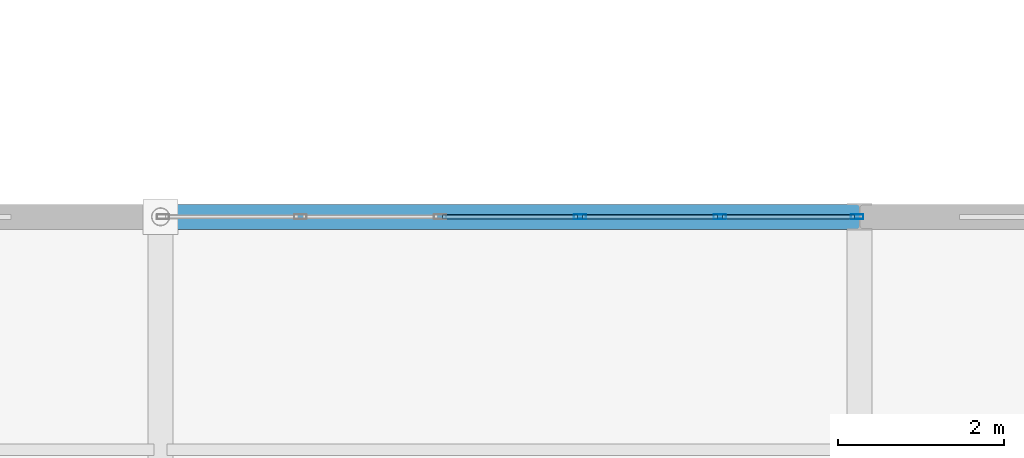
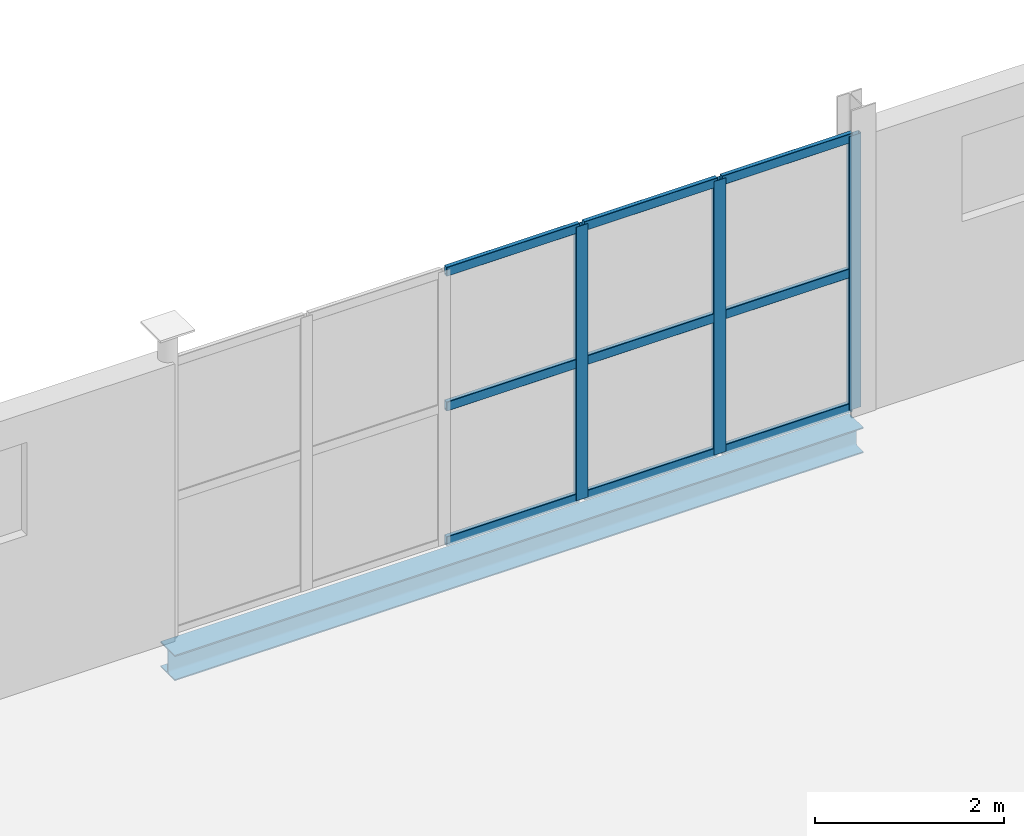
# One storey, part 101 of 163: 12 members, 1 beam, 1 element without a shape of its own.
"""IFC4 building model written with IfcOpenShell, lengths in metres."""

import ifcopenshell
import ifcopenshell.guid

model = None  # the IFC model being written
_history = None  # IfcOwnerHistory: only IFC2X3 demands one
_inside = {}  # id of a spatial element -> (the spatial element, [elements in it])
_under = {}  # id of a project, library or spatial element -> (it, [spatial elements below it])
_declared = {}  # id of a project -> (the project, [libraries it declares])
_typed = {}  # id of a type object -> (the type object, [elements of that type])
_made_of = {}  # id of a material, layer set ... -> (it, [elements and type objects made of it])


def new_model(schema):
    """Start an empty IFC model of exactly this schema.

    Asked for "IFC4X3", IfcOpenShell would pick the latest addendum, in which some entities
    have other attributes; the version numbers below select the first issue.
    IFC2X3 requires an IfcOwnerHistory on every rooted entity: one is made here for all.
    """
    global model, _history
    if schema == "IFC4X3":
        model = ifcopenshell.file(schema_version=(4, 3, 0, 0))
    else:
        model = ifcopenshell.file(schema=schema)
    _inside.clear()
    _under.clear()
    _declared.clear()
    _typed.clear()
    _made_of.clear()
    _history = None
    if model.schema == "IFC2X3":
        org = make("IfcOrganization", Name="unknown")
        user = make(
            "IfcPersonAndOrganization",
            ThePerson=make("IfcPerson", FamilyName="unknown"),
            TheOrganization=org,
        )
        app = make(
            "IfcApplication",
            ApplicationDeveloper=org,
            Version="unknown",
            ApplicationFullName="unknown",
            ApplicationIdentifier="unknown",
        )
        _history = make(
            "IfcOwnerHistory",
            OwningUser=user,
            OwningApplication=app,
            ChangeAction="ADDED",
            CreationDate=0,
        )
    return model


def make(cls, **values):
    """One entity of the class cls with the attributes given. An attribute that is None is left unset."""
    return model.create_entity(
        cls, **{name: value for name, value in values.items() if value is not None}
    )


def rooted(cls, **values):
    """An entity with a GlobalId (a new one), such as an element, a storey or a relation."""
    return make(cls, GlobalId=ifcopenshell.guid.new(), OwnerHistory=_history, **values)


def si_unit(unit_type, name, prefix=None):
    """IfcSIUnit, for example si_unit("LENGTHUNIT", "METRE", prefix="MILLI")."""
    return make("IfcSIUnit", UnitType=unit_type, Prefix=prefix, Name=name)


def assignment(units):
    """IfcUnitAssignment: the units of a project."""
    return None if units is None else make("IfcUnitAssignment", Units=units)


def point(xyz):
    """IfcCartesianPoint."""
    return None if xyz is None else make("IfcCartesianPoint", Coordinates=xyz)


def direction(xyz):
    """IfcDirection."""
    return None if xyz is None else make("IfcDirection", DirectionRatios=xyz)


def frame(location, z_axis=None, x_axis=None):
    """IfcAxis2Placement3D, a coordinate frame: its origin and axes. An axis left out is left unset."""
    return make(
        "IfcAxis2Placement3D",
        Location=point(location),
        Axis=direction(z_axis),
        RefDirection=direction(x_axis),
    )


def frame_2d(location, x_axis=None):
    """IfcAxis2Placement2D, a coordinate frame in the plane: its origin and x axis."""
    return make(
        "IfcAxis2Placement2D", Location=point(location), RefDirection=direction(x_axis)
    )


def origin():
    """The frame at (0, 0, 0) with its axes left unset."""
    return frame((0.0, 0.0, 0.0))


def origin_2d():
    """The frame at (0, 0) in the plane with its x axis left unset."""
    return frame_2d((0.0, 0.0))


def place(relative_to, where):
    """IfcLocalPlacement: puts the frame where relative to a parent placement (None: the world)."""
    return make(
        "IfcLocalPlacement", PlacementRelTo=relative_to, RelativePlacement=where
    )


def context(
    kind, dimensions, precision=None, world=None, true_north=None, identifier=None
):
    """IfcGeometricRepresentationContext, for example the 3D "Model" context."""
    return make(
        "IfcGeometricRepresentationContext",
        ContextIdentifier=identifier,
        ContextType=kind,
        CoordinateSpaceDimension=dimensions,
        Precision=precision,
        WorldCoordinateSystem=world,
        TrueNorth=true_north,
    )


def subcontext(parent, identifier, kind, view, scale=None):
    """IfcGeometricRepresentationSubContext, for example "Body" below "Model"."""
    return make(
        "IfcGeometricRepresentationSubContext",
        ContextIdentifier=identifier,
        ContextType=kind,
        ParentContext=parent,
        TargetScale=scale,
        TargetView=view,
    )


def project(units=None, contexts=None):
    """IfcProject with its units and contexts."""
    return rooted(
        "IfcProject",
        Name="project",
        RepresentationContexts=contexts,
        UnitsInContext=assignment(units),
    )


def spatial(cls, under=None, at=None, **own):
    """A site, building, storey or space (cls), placed at a placement, below another one or the project."""
    s = rooted(cls, ObjectPlacement=at, **own)
    if under is not None:
        _under.setdefault(under.id(), (under, []))[1].append(s)
    return s


def profile(cls, at=None, kind="AREA", **sizes):
    """A parametric profile (cls). Its sizes go by their IFC names, for example OverallWidth=200.0."""
    return make(cls, ProfileType=kind, Position=at, **sizes)


def hollow_rectangle(**sizes):
    """IfcRectangleHollowProfileDef."""
    return profile("IfcRectangleHollowProfileDef", **sizes)


def i_section(**sizes):
    """IfcIShapeProfileDef."""
    return profile("IfcIShapeProfileDef", **sizes)


def extrude(swept, where, along, depth):
    """IfcExtrudedAreaSolid: the profile swept, set in the frame where, extruded along a direction by depth."""
    return make(
        "IfcExtrudedAreaSolid",
        SweptArea=swept,
        Position=where,
        ExtrudedDirection=direction(along),
        Depth=depth,
    )


def shape(context_of_items, identifier, shape_type, items):
    """IfcShapeRepresentation: the items that make up one representation, for example the "Body"."""
    return make(
        "IfcShapeRepresentation",
        ContextOfItems=context_of_items,
        RepresentationIdentifier=identifier,
        RepresentationType=shape_type,
        Items=items,
    )


def material(Name=None, Category=None):
    """IfcMaterial."""
    return make("IfcMaterial", Name=Name, Category=Category)


def layer(
    of_material, thickness, ventilated=None, Name=None, Category=None, Priority=None
):
    """IfcMaterialLayer: one layer of a wall or slab, of a material (None: an air gap)."""
    return make(
        "IfcMaterialLayer",
        Material=of_material,
        LayerThickness=thickness,
        IsVentilated=ventilated,
        Name=Name,
        Category=Category,
        Priority=Priority,
    )


def layer_set(layers, Name=None):
    """IfcMaterialLayerSet."""
    return make("IfcMaterialLayerSet", MaterialLayers=layers, LayerSetName=Name)


def material_profile(
    of_material, cross_section, Name=None, Category=None, Priority=None
):
    """IfcMaterialProfile: a cross section and its material."""
    return make(
        "IfcMaterialProfile",
        Name=Name,
        Material=of_material,
        Profile=cross_section,
        Priority=Priority,
        Category=Category,
    )


def profile_set(profiles, Name=None, composite=None):
    """IfcMaterialProfileSet."""
    return make(
        "IfcMaterialProfileSet",
        Name=Name,
        MaterialProfiles=profiles,
        CompositeProfile=composite,
    )


def made_of(thing, what):
    """Note that an element or type object is made of a material, layer set ...; save() writes the relation."""
    if what is not None:
        _made_of.setdefault(what.id(), (what, []))[1].append(thing)
    return thing


def type_object(cls, material=None, **own):
    """A type object (cls), such as IfcWallType, which elements share."""
    return made_of(rooted(cls, **own), material)


def element(
    cls,
    number,
    at=None,
    inside=None,
    cuts=None,
    type_object=None,
    material=None,
    context=None,
    identifier="Body",
    shape_type=None,
    held_by="IfcProductDefinitionShape",
    body=None,
    shapes=None,
    **own,
):
    """One element of the class cls, such as IfcWall. Its Tag is "e" and its number.

    at: its placement. inside: the storey or other place that contains it. cuts: it is an
    opening in that element (IfcRelVoidsElement). A single representation is given by context,
    identifier, shape_type and body (its items); several are given by shapes. held_by: the class
    of the entity that holds the representations. save() writes the other relations.
    """
    e = rooted(cls, Tag="e%d" % number, ObjectPlacement=at, **own)
    if body is not None:
        shapes = [shape(context, identifier, shape_type, body)]
    if shapes is not None:
        e.Representation = make(held_by, Representations=shapes)
    if inside is not None:
        _inside.setdefault(inside.id(), (inside, []))[1].append(e)
    if cuts is not None:
        rooted(
            "IfcRelVoidsElement", RelatingBuildingElement=cuts, RelatedOpeningElement=e
        )
    if type_object is not None:
        _typed.setdefault(type_object.id(), (type_object, []))[1].append(e)
    return made_of(e, material)


def aggregate(whole, parts):
    """IfcRelAggregates: a whole, such as a stair, and the parts it consists of."""
    return rooted("IfcRelAggregates", RelatingObject=whole, RelatedObjects=parts)


def save(model, path):
    """Write the relations noted so far, then the file.

    IfcRelAggregates (storeys below a building ...), IfcRelContainedInSpatialStructure (elements
    in a storey), IfcRelDefinesByType, IfcRelAssociatesMaterial and IfcRelDeclares: one each for
    every whole, place, type object, material and project.
    """
    for whole, parts in _under.values():
        aggregate(whole, parts)
    for where, things in _inside.values():
        rooted(
            "IfcRelContainedInSpatialStructure",
            RelatedElements=things,
            RelatingStructure=where,
        )
    for kind, things in _typed.values():
        rooted("IfcRelDefinesByType", RelatedObjects=things, RelatingType=kind)
    for what, things in _made_of.values():
        rooted("IfcRelAssociatesMaterial", RelatedObjects=things, RelatingMaterial=what)
    for by, libraries in _declared.values():
        rooted("IfcRelDeclares", RelatingContext=by, RelatedDefinitions=libraries)
    model.write(path)


model = new_model("IFC4")

# Units and contexts
model_context = context("Model", 3, precision=1e-05, world=origin(), true_north=direction((0.0, 1.0)))
body_context = subcontext(model_context, "Body", "Model", "MODEL_VIEW")
ifc_project = project(units=[si_unit("LENGTHUNIT", "METRE"), si_unit("AREAUNIT", "SQUARE_METRE"), si_unit("VOLUMEUNIT", "CUBIC_METRE"), si_unit("PLANEANGLEUNIT", "RADIAN"), si_unit("MASSUNIT", "GRAM", prefix="KILO")], contexts=[model_context])

# Site, building, storey
site_placement = place(None, origin())
site = spatial("IfcSite", under=ifc_project, at=site_placement, CompositionType="ELEMENT")
building_placement = place(site_placement, origin())
building = spatial("IfcBuilding", under=site, at=building_placement, Name="Qalvenar Corner Mobility Hub", CompositionType="ELEMENT")
storey_placement = place(building_placement, frame((0.0, 0.0, 4.800048828125)))
storey = spatial("IfcBuildingStorey", under=building, at=storey_placement, Name="L01", CompositionType="ELEMENT", Elevation=4.800048828125)

# Beam
ifc_material_1 = material(Name="Steel S355", Category="steel")
ifc_material_profile_1 = material_profile(ifc_material_1, i_section(OverallWidth=0.300048828125, OverallDepth=0.330078125, WebThickness=0.009521484375, FlangeThickness=0.0166015625, FilletRadius=0.027099609375, at=origin_2d()), Name="HEA340")
ifc_profile_set_1 = profile_set([ifc_material_profile_1], Name="Steel S355")
beam_type = type_object("IfcBeamType", Name="BM-SPN340", PredefinedType="SPANDREL", material=ifc_profile_set_1)
beam_placement = place(storey_placement, frame((142.800048828125, 50.39990234375, -0.344970703125), z_axis=(1.0, 0.0, 0.0), x_axis=(0.0, 1.0, 0.0)))
element("IfcBeam", 1, at=beam_placement, inside=storey, type_object=beam_type, Name="Primary Steel Girder GX-1024", PredefinedType="SPANDREL", context=body_context, shape_type="SweptSolid", body=[
    extrude(i_section(OverallWidth=0.300048828125, OverallDepth=0.330078125, WebThickness=0.009521484375, FlangeThickness=0.0166015625, FilletRadius=0.027099609375, at=origin_2d()), origin(), (0.0, 0.0, 1.0), 8.39990234375),
])

# Curtain wall, members
ifc_material_2 = material(Name="Anodised Aluminium and Low-E Glazing", Category="aluminium")
ifc_layer = layer(ifc_material_2, 0.14990234375)
ifc_layer_set = layer_set([ifc_layer], Name="Anodised Aluminium and Low-E Glazing")
curtain_wall_type = type_object("IfcCurtainWallType", Name="CW-WKS-84X44", PredefinedType="NOTDEFINED", material=ifc_layer_set)
curtain_wall_placement = place(storey_placement, origin())
curtain_wall = element("IfcCurtainWall", 2, at=curtain_wall_placement, inside=storey, type_object=curtain_wall_type, Name="Glazed Curtain Wall CW-V6-L01-N4", PredefinedType="NOTDEFINED")
ifc_material_3 = material(Name="Anodised Aluminium 6063-T6", Category="aluminium")
ifc_material_profile_2 = material_profile(ifc_material_3, hollow_rectangle(XDim=0.06005859375, YDim=0.14990234375, WallThickness=0.00390625, InnerFilletRadius=0.00390625, OuterFilletRadius=0.008056640625, at=origin_2d()), Name="RHS150x60x4")
ifc_profile_set_2 = profile_set([ifc_material_profile_2], Name="Anodised Aluminium 6063-T6")
member_type_1 = type_object("IfcMemberType", Name="CW-MUL150", PredefinedType="MULLION", material=ifc_profile_set_2)
member_1_placement = place(storey_placement, frame((151.169921875, 50.39990234375, 0.0), z_axis=(0.0, 0.0, 1.0), x_axis=(0.0, -1.0, 0.0)))
member_1 = element("IfcMember", 3, at=member_1_placement, type_object=member_type_1, Name="CW-09 mullion 1", PredefinedType="MULLION", context=body_context, shape_type="SweptSolid", body=[
    extrude(hollow_rectangle(XDim=0.06005859375, YDim=0.14990234375, WallThickness=0.00390625, InnerFilletRadius=0.00390625, OuterFilletRadius=0.008056640625, at=origin_2d()), origin(), (0.0, 0.0, 1.0), 3.530029296875),
])
member_2_placement = place(storey_placement, frame((149.52001953125, 50.39990234375, 0.0), z_axis=(0.0, 0.0, 1.0), x_axis=(0.0, -1.0, 0.0)))
member_2 = element("IfcMember", 4, at=member_2_placement, type_object=member_type_1, Name="CW-09 mullion 2", PredefinedType="MULLION", context=body_context, shape_type="SweptSolid", body=[
    extrude(hollow_rectangle(XDim=0.06005859375, YDim=0.14990234375, WallThickness=0.00390625, InnerFilletRadius=0.00390625, OuterFilletRadius=0.008056640625, at=origin_2d()), origin(), (0.0, 0.0, 1.0), 3.530029296875),
])
member_3_placement = place(storey_placement, frame((147.840087890625, 50.39990234375, 0.0), z_axis=(0.0, 0.0, 1.0), x_axis=(0.0, -1.0, 0.0)))
member_3 = element("IfcMember", 5, at=member_3_placement, type_object=member_type_1, Name="CW-09 mullion 3", PredefinedType="MULLION", context=body_context, shape_type="SweptSolid", body=[
    extrude(hollow_rectangle(XDim=0.06005859375, YDim=0.14990234375, WallThickness=0.00390625, InnerFilletRadius=0.00390625, OuterFilletRadius=0.008056640625, at=origin_2d()), origin(), (0.0, 0.0, 1.0), 3.530029296875),
])
ifc_material_profile_3 = material_profile(ifc_material_3, hollow_rectangle(XDim=0.054931640625, YDim=0.1201171875, WallThickness=0.00341796875, InnerFilletRadius=0.00341796875, OuterFilletRadius=0.007080078125, at=origin_2d()), Name="RHS120x55x3.5")
ifc_profile_set_3 = profile_set([ifc_material_profile_3], Name="Anodised Aluminium 6063-T6")
member_type_2 = type_object("IfcMemberType", Name="CW-TRN120", PredefinedType="USERDEFINED", material=ifc_profile_set_3)
member_4_placement = place(storey_placement, frame((151.139892578125, 50.39990234375, 0.02734375), z_axis=(-1.0, 0.0, 0.0), x_axis=(0.0, -1.0, 0.0)))
member_4 = element("IfcMember", 6, at=member_4_placement, type_object=member_type_2, Name="CW-09 transom 1.1", ObjectType="TRANSOM", PredefinedType="USERDEFINED", context=body_context, shape_type="SweptSolid", body=[
    extrude(hollow_rectangle(XDim=0.054931640625, YDim=0.1201171875, WallThickness=0.00341796875, InnerFilletRadius=0.00341796875, OuterFilletRadius=0.007080078125, at=origin_2d()), origin(), (0.0, 0.0, 1.0), 1.58984375),
])
member_5_placement = place(storey_placement, frame((151.139892578125, 50.39990234375, 1.764892578125), z_axis=(-1.0, 0.0, 0.0), x_axis=(0.0, -1.0, 0.0)))
member_5 = element("IfcMember", 7, at=member_5_placement, type_object=member_type_2, Name="CW-09 transom 1.2", ObjectType="TRANSOM", PredefinedType="USERDEFINED", context=body_context, shape_type="SweptSolid", body=[
    extrude(hollow_rectangle(XDim=0.054931640625, YDim=0.1201171875, WallThickness=0.00341796875, InnerFilletRadius=0.00341796875, OuterFilletRadius=0.007080078125, at=origin_2d()), origin(), (0.0, 0.0, 1.0), 1.58984375),
])
member_6_placement = place(storey_placement, frame((151.139892578125, 50.39990234375, 3.50244140625), z_axis=(-1.0, 0.0, 0.0), x_axis=(0.0, -1.0, 0.0)))
member_6 = element("IfcMember", 8, at=member_6_placement, type_object=member_type_2, Name="CW-09 transom 1.3", ObjectType="TRANSOM", PredefinedType="USERDEFINED", context=body_context, shape_type="SweptSolid", body=[
    extrude(hollow_rectangle(XDim=0.054931640625, YDim=0.1201171875, WallThickness=0.00341796875, InnerFilletRadius=0.00341796875, OuterFilletRadius=0.007080078125, at=origin_2d()), origin(), (0.0, 0.0, 1.0), 1.58984375),
])
member_7_placement = place(storey_placement, frame((149.489990234375, 50.39990234375, 0.02734375), z_axis=(-1.0, 0.0, 0.0), x_axis=(0.0, -1.0, 0.0)))
member_7 = element("IfcMember", 9, at=member_7_placement, type_object=member_type_2, Name="CW-09 transom 2.1", ObjectType="TRANSOM", PredefinedType="USERDEFINED", context=body_context, shape_type="SweptSolid", body=[
    extrude(hollow_rectangle(XDim=0.054931640625, YDim=0.1201171875, WallThickness=0.00341796875, InnerFilletRadius=0.00341796875, OuterFilletRadius=0.007080078125, at=origin_2d()), origin(), (0.0, 0.0, 1.0), 1.619873046875),
])
member_8_placement = place(storey_placement, frame((149.489990234375, 50.39990234375, 1.764892578125), z_axis=(-1.0, 0.0, 0.0), x_axis=(0.0, -1.0, 0.0)))
member_8 = element("IfcMember", 10, at=member_8_placement, type_object=member_type_2, Name="CW-09 transom 2.2", ObjectType="TRANSOM", PredefinedType="USERDEFINED", context=body_context, shape_type="SweptSolid", body=[
    extrude(hollow_rectangle(XDim=0.054931640625, YDim=0.1201171875, WallThickness=0.00341796875, InnerFilletRadius=0.00341796875, OuterFilletRadius=0.007080078125, at=origin_2d()), origin(), (0.0, 0.0, 1.0), 1.619873046875),
])
member_9_placement = place(storey_placement, frame((149.489990234375, 50.39990234375, 3.50244140625), z_axis=(-1.0, 0.0, 0.0), x_axis=(0.0, -1.0, 0.0)))
member_9 = element("IfcMember", 11, at=member_9_placement, type_object=member_type_2, Name="CW-09 transom 2.3", ObjectType="TRANSOM", PredefinedType="USERDEFINED", context=body_context, shape_type="SweptSolid", body=[
    extrude(hollow_rectangle(XDim=0.054931640625, YDim=0.1201171875, WallThickness=0.00341796875, InnerFilletRadius=0.00341796875, OuterFilletRadius=0.007080078125, at=origin_2d()), origin(), (0.0, 0.0, 1.0), 1.619873046875),
])
member_10_placement = place(storey_placement, frame((147.81005859375, 50.39990234375, 0.02734375), z_axis=(-1.0, 0.0, 0.0), x_axis=(0.0, -1.0, 0.0)))
member_10 = element("IfcMember", 12, at=member_10_placement, type_object=member_type_2, Name="CW-09 transom 3.1", ObjectType="TRANSOM", PredefinedType="USERDEFINED", context=body_context, shape_type="SweptSolid", body=[
    extrude(hollow_rectangle(XDim=0.054931640625, YDim=0.1201171875, WallThickness=0.00341796875, InnerFilletRadius=0.00341796875, OuterFilletRadius=0.007080078125, at=origin_2d()), origin(), (0.0, 0.0, 1.0), 1.6201171875),
])
member_11_placement = place(storey_placement, frame((147.81005859375, 50.39990234375, 1.764892578125), z_axis=(-1.0, 0.0, 0.0), x_axis=(0.0, -1.0, 0.0)))
member_11 = element("IfcMember", 13, at=member_11_placement, type_object=member_type_2, Name="CW-09 transom 3.2", ObjectType="TRANSOM", PredefinedType="USERDEFINED", context=body_context, shape_type="SweptSolid", body=[
    extrude(hollow_rectangle(XDim=0.054931640625, YDim=0.1201171875, WallThickness=0.00341796875, InnerFilletRadius=0.00341796875, OuterFilletRadius=0.007080078125, at=origin_2d()), origin(), (0.0, 0.0, 1.0), 1.6201171875),
])
member_12_placement = place(storey_placement, frame((147.81005859375, 50.39990234375, 3.50244140625), z_axis=(-1.0, 0.0, 0.0), x_axis=(0.0, -1.0, 0.0)))
member_12 = element("IfcMember", 14, at=member_12_placement, type_object=member_type_2, Name="CW-09 transom 3.3", ObjectType="TRANSOM", PredefinedType="USERDEFINED", context=body_context, shape_type="SweptSolid", body=[
    extrude(hollow_rectangle(XDim=0.054931640625, YDim=0.1201171875, WallThickness=0.00341796875, InnerFilletRadius=0.00341796875, OuterFilletRadius=0.007080078125, at=origin_2d()), origin(), (0.0, 0.0, 1.0), 1.6201171875),
])
aggregate(curtain_wall, [member_1, member_2, member_3, member_4, member_5, member_6, member_7, member_8, member_9, member_10, member_11, member_12])

save(model, "model.ifc")
